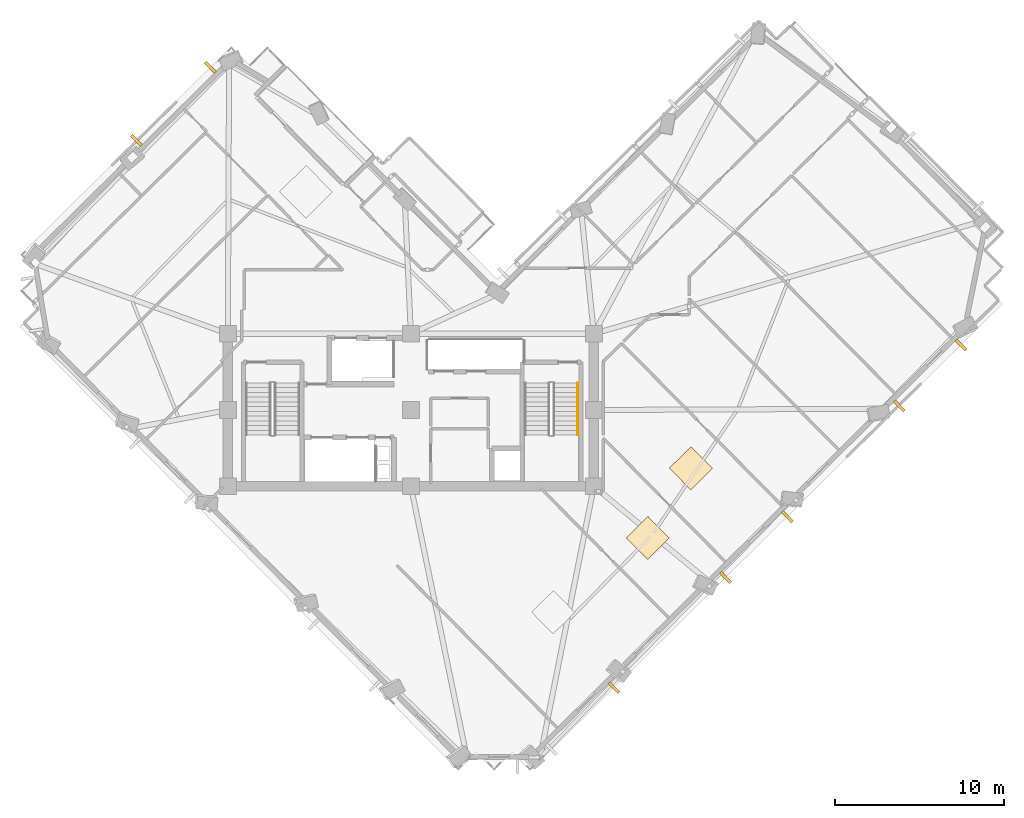
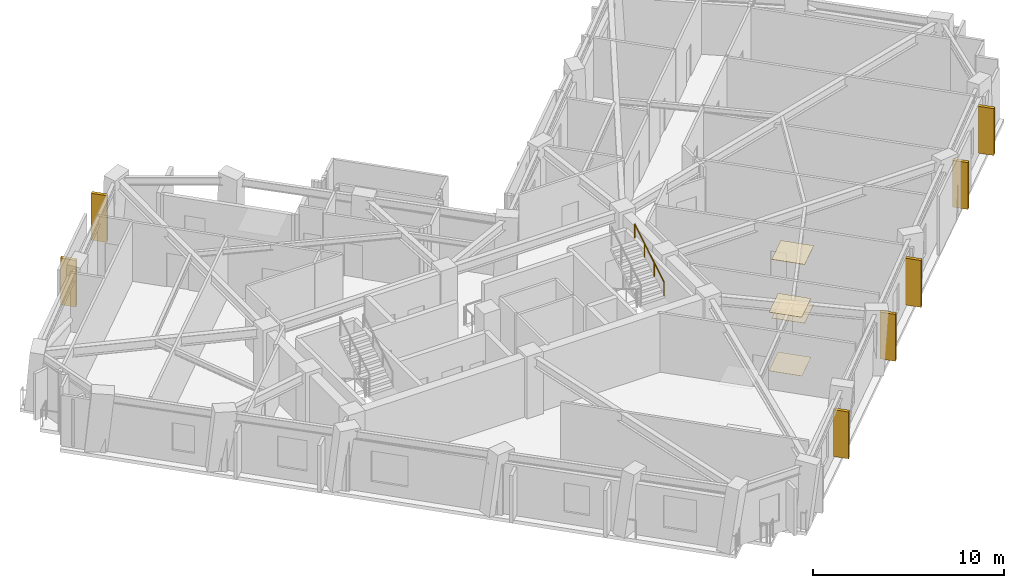
# One storey, part 10 of 11: 7 shading devices, 4 coverings, 1 railing.
"""IFC4 building model written with IfcOpenShell, lengths in metres."""

import ifcopenshell
import ifcopenshell.guid

model = None  # the IFC model being written
_history = None  # IfcOwnerHistory: only IFC2X3 demands one
_inside = {}  # id of a spatial element -> (the spatial element, [elements in it])
_under = {}  # id of a project, library or spatial element -> (it, [spatial elements below it])
_declared = {}  # id of a project -> (the project, [libraries it declares])
_typed = {}  # id of a type object -> (the type object, [elements of that type])
_made_of = {}  # id of a material, layer set ... -> (it, [elements and type objects made of it])


def new_model(schema):
    """Start an empty IFC model of exactly this schema.

    Asked for "IFC4X3", IfcOpenShell would pick the latest addendum, in which some entities
    have other attributes; the version numbers below select the first issue.
    IFC2X3 requires an IfcOwnerHistory on every rooted entity: one is made here for all.
    """
    global model, _history
    if schema == "IFC4X3":
        model = ifcopenshell.file(schema_version=(4, 3, 0, 0))
    else:
        model = ifcopenshell.file(schema=schema)
    _inside.clear()
    _under.clear()
    _declared.clear()
    _typed.clear()
    _made_of.clear()
    _history = None
    if model.schema == "IFC2X3":
        org = make("IfcOrganization", Name="unknown")
        user = make(
            "IfcPersonAndOrganization",
            ThePerson=make("IfcPerson", FamilyName="unknown"),
            TheOrganization=org,
        )
        app = make(
            "IfcApplication",
            ApplicationDeveloper=org,
            Version="unknown",
            ApplicationFullName="unknown",
            ApplicationIdentifier="unknown",
        )
        _history = make(
            "IfcOwnerHistory",
            OwningUser=user,
            OwningApplication=app,
            ChangeAction="ADDED",
            CreationDate=0,
        )
    return model


def make(cls, **values):
    """One entity of the class cls with the attributes given. An attribute that is None is left unset."""
    return model.create_entity(
        cls, **{name: value for name, value in values.items() if value is not None}
    )


def rooted(cls, **values):
    """An entity with a GlobalId (a new one), such as an element, a storey or a relation."""
    return make(cls, GlobalId=ifcopenshell.guid.new(), OwnerHistory=_history, **values)


def si_unit(unit_type, name, prefix=None):
    """IfcSIUnit, for example si_unit("LENGTHUNIT", "METRE", prefix="MILLI")."""
    return make("IfcSIUnit", UnitType=unit_type, Prefix=prefix, Name=name)


def assignment(units):
    """IfcUnitAssignment: the units of a project."""
    return None if units is None else make("IfcUnitAssignment", Units=units)


def point(xyz):
    """IfcCartesianPoint."""
    return None if xyz is None else make("IfcCartesianPoint", Coordinates=xyz)


def direction(xyz):
    """IfcDirection."""
    return None if xyz is None else make("IfcDirection", DirectionRatios=xyz)


def frame(location, z_axis=None, x_axis=None):
    """IfcAxis2Placement3D, a coordinate frame: its origin and axes. An axis left out is left unset."""
    return make(
        "IfcAxis2Placement3D",
        Location=point(location),
        Axis=direction(z_axis),
        RefDirection=direction(x_axis),
    )


def frame_2d(location, x_axis=None):
    """IfcAxis2Placement2D, a coordinate frame in the plane: its origin and x axis."""
    return make(
        "IfcAxis2Placement2D", Location=point(location), RefDirection=direction(x_axis)
    )


def origin():
    """The frame at (0, 0, 0) with its axes left unset."""
    return frame((0.0, 0.0, 0.0))


def origin_2d():
    """The frame at (0, 0) in the plane with its x axis left unset."""
    return frame_2d((0.0, 0.0))


def place(relative_to, where):
    """IfcLocalPlacement: puts the frame where relative to a parent placement (None: the world)."""
    return make(
        "IfcLocalPlacement", PlacementRelTo=relative_to, RelativePlacement=where
    )


def context(
    kind, dimensions, precision=None, world=None, true_north=None, identifier=None
):
    """IfcGeometricRepresentationContext, for example the 3D "Model" context."""
    return make(
        "IfcGeometricRepresentationContext",
        ContextIdentifier=identifier,
        ContextType=kind,
        CoordinateSpaceDimension=dimensions,
        Precision=precision,
        WorldCoordinateSystem=world,
        TrueNorth=true_north,
    )


def subcontext(parent, identifier, kind, view, scale=None):
    """IfcGeometricRepresentationSubContext, for example "Body" below "Model"."""
    return make(
        "IfcGeometricRepresentationSubContext",
        ContextIdentifier=identifier,
        ContextType=kind,
        ParentContext=parent,
        TargetScale=scale,
        TargetView=view,
    )


def project(units=None, contexts=None):
    """IfcProject with its units and contexts."""
    return rooted(
        "IfcProject",
        Name="project",
        RepresentationContexts=contexts,
        UnitsInContext=assignment(units),
    )


def spatial(cls, under=None, at=None, **own):
    """A site, building, storey or space (cls), placed at a placement, below another one or the project."""
    s = rooted(cls, ObjectPlacement=at, **own)
    if under is not None:
        _under.setdefault(under.id(), (under, []))[1].append(s)
    return s


def profile(cls, at=None, kind="AREA", **sizes):
    """A parametric profile (cls). Its sizes go by their IFC names, for example OverallWidth=200.0."""
    return make(cls, ProfileType=kind, Position=at, **sizes)


def rectangle(**sizes):
    """IfcRectangleProfileDef."""
    return profile("IfcRectangleProfileDef", **sizes)


def circle(**sizes):
    """IfcCircleProfileDef."""
    return profile("IfcCircleProfileDef", **sizes)


def extrude(swept, where, along, depth):
    """IfcExtrudedAreaSolid: the profile swept, set in the frame where, extruded along a direction by depth."""
    return make(
        "IfcExtrudedAreaSolid",
        SweptArea=swept,
        Position=where,
        ExtrudedDirection=direction(along),
        Depth=depth,
    )


def shape(context_of_items, identifier, shape_type, items):
    """IfcShapeRepresentation: the items that make up one representation, for example the "Body"."""
    return make(
        "IfcShapeRepresentation",
        ContextOfItems=context_of_items,
        RepresentationIdentifier=identifier,
        RepresentationType=shape_type,
        Items=items,
    )


def material(Name=None, Category=None):
    """IfcMaterial."""
    return make("IfcMaterial", Name=Name, Category=Category)


def layer(
    of_material, thickness, ventilated=None, Name=None, Category=None, Priority=None
):
    """IfcMaterialLayer: one layer of a wall or slab, of a material (None: an air gap)."""
    return make(
        "IfcMaterialLayer",
        Material=of_material,
        LayerThickness=thickness,
        IsVentilated=ventilated,
        Name=Name,
        Category=Category,
        Priority=Priority,
    )


def layer_set(layers, Name=None):
    """IfcMaterialLayerSet."""
    return make("IfcMaterialLayerSet", MaterialLayers=layers, LayerSetName=Name)


def made_of(thing, what):
    """Note that an element or type object is made of a material, layer set ...; save() writes the relation."""
    if what is not None:
        _made_of.setdefault(what.id(), (what, []))[1].append(thing)
    return thing


def type_object(cls, material=None, **own):
    """A type object (cls), such as IfcWallType, which elements share."""
    return made_of(rooted(cls, **own), material)


def element(
    cls,
    number,
    at=None,
    inside=None,
    cuts=None,
    type_object=None,
    material=None,
    context=None,
    identifier="Body",
    shape_type=None,
    held_by="IfcProductDefinitionShape",
    body=None,
    shapes=None,
    **own,
):
    """One element of the class cls, such as IfcWall. Its Tag is "e" and its number.

    at: its placement. inside: the storey or other place that contains it. cuts: it is an
    opening in that element (IfcRelVoidsElement). A single representation is given by context,
    identifier, shape_type and body (its items); several are given by shapes. held_by: the class
    of the entity that holds the representations. save() writes the other relations.
    """
    e = rooted(cls, Tag="e%d" % number, ObjectPlacement=at, **own)
    if body is not None:
        shapes = [shape(context, identifier, shape_type, body)]
    if shapes is not None:
        e.Representation = make(held_by, Representations=shapes)
    if inside is not None:
        _inside.setdefault(inside.id(), (inside, []))[1].append(e)
    if cuts is not None:
        rooted(
            "IfcRelVoidsElement", RelatingBuildingElement=cuts, RelatedOpeningElement=e
        )
    if type_object is not None:
        _typed.setdefault(type_object.id(), (type_object, []))[1].append(e)
    return made_of(e, material)


def aggregate(whole, parts):
    """IfcRelAggregates: a whole, such as a stair, and the parts it consists of."""
    return rooted("IfcRelAggregates", RelatingObject=whole, RelatedObjects=parts)


def save(model, path):
    """Write the relations noted so far, then the file.

    IfcRelAggregates (storeys below a building ...), IfcRelContainedInSpatialStructure (elements
    in a storey), IfcRelDefinesByType, IfcRelAssociatesMaterial and IfcRelDeclares: one each for
    every whole, place, type object, material and project.
    """
    for whole, parts in _under.values():
        aggregate(whole, parts)
    for where, things in _inside.values():
        rooted(
            "IfcRelContainedInSpatialStructure",
            RelatedElements=things,
            RelatingStructure=where,
        )
    for kind, things in _typed.values():
        rooted("IfcRelDefinesByType", RelatedObjects=things, RelatingType=kind)
    for what, things in _made_of.values():
        rooted("IfcRelAssociatesMaterial", RelatedObjects=things, RelatingMaterial=what)
    for by, libraries in _declared.values():
        rooted("IfcRelDeclares", RelatingContext=by, RelatedDefinitions=libraries)
    model.write(path)


model = new_model("IFC4")

# Units and contexts
model_context = context("Model", 3, precision=1e-05, world=origin(), true_north=direction((0.0, 1.0)))
body_context = subcontext(model_context, "Body", "Model", "MODEL_VIEW")
ifc_project = project(units=[si_unit("LENGTHUNIT", "METRE"), si_unit("AREAUNIT", "SQUARE_METRE"), si_unit("VOLUMEUNIT", "CUBIC_METRE"), si_unit("PLANEANGLEUNIT", "RADIAN"), si_unit("MASSUNIT", "GRAM", prefix="KILO")], contexts=[model_context])

# Site, building, storey
site_placement = place(None, origin())
site = spatial("IfcSite", under=ifc_project, at=site_placement, CompositionType="ELEMENT")
building_placement = place(site_placement, origin())
building = spatial("IfcBuilding", under=site, at=building_placement, Name="Gaonmaruhae Medical Tower", CompositionType="ELEMENT")
storey_placement = place(building_placement, frame((0.0, 0.0, 215.199951171875)))
storey = spatial("IfcBuildingStorey", under=building, at=storey_placement, Name="L51", CompositionType="ELEMENT", Elevation=215.199951171875)

# Coverings
ifc_material_1 = material(Name="Acoustic mineral ceiling tile", Category="finish")
ifc_layer_1 = layer(ifc_material_1, 0.02490234375)
ifc_layer_set_1 = layer_set([ifc_layer_1], Name="Acoustic mineral ceiling tile")
covering_type_1 = type_object("IfcCoveringType", Name="CLG-01 Antimicrobial Acoustic Mineral Ceiling", PredefinedType="CEILING", material=ifc_layer_set_1)
for number, where, z_axis, x_axis, name in (
    (1, (38.78076171875, 4.75, 3.755126953125), (0.0, 0.0, 1.0), (0.711413030818, 0.702774145499, 0.0), "L51 Clinical Room Acoustic Ceiling 3"),
    (2, (41.324462890625, 8.86279296875, 3.755126953125), (0.0, 0.0, 1.0), (0.711413030818, 0.702774145499, 0.0), "L51 Clinical Room Acoustic Ceiling 4"),
):
    element("IfcCovering", number, at=place(storey_placement, frame(where, z_axis=z_axis, x_axis=x_axis)), inside=storey, type_object=covering_type_1, Name=name, PredefinedType="CEILING", context=body_context, shape_type="SweptSolid", body=[
        extrude(rectangle(XDim=1.800048828125, YDim=1.800048828125, at=origin_2d()), origin(), (0.0, 0.0, 1.0), 0.02490234375),
    ])
ifc_material_2 = material(Name="Seamless clinical vinyl flooring", Category="finish")
ifc_layer_2 = layer(ifc_material_2, 0.014892578125)
ifc_layer_set_2 = layer_set([ifc_layer_2], Name="Seamless clinical vinyl flooring")
covering_type_2 = type_object("IfcCoveringType", Name="FLR-01 Seamless Clinical Antistatic Vinyl Flooring", PredefinedType="FLOORING", material=ifc_layer_set_2)
for number, where, z_axis, x_axis, name in (
    (3, (38.78076171875, 4.75, 0.0), (0.0, 0.0, 1.0), (0.711413030818, 0.702774145499, 0.0), "L51 Clinical Room Vinyl Flooring 3"),
    (4, (41.324462890625, 8.86279296875, 0.0), (0.0, 0.0, 1.0), (0.711413030818, 0.702774145499, 0.0), "L51 Clinical Room Vinyl Flooring 4"),
):
    element("IfcCovering", number, at=place(storey_placement, frame(where, z_axis=z_axis, x_axis=x_axis)), inside=storey, type_object=covering_type_2, Name=name, PredefinedType="FLOORING", context=body_context, shape_type="SweptSolid", body=[
        extrude(rectangle(XDim=1.800048828125, YDim=1.800048828125, at=origin_2d()), origin(), (0.0, 0.0, 1.0), 0.014892578125),
    ])

# Railing
ifc_material_3 = material(Name="Stainless steel 304 handrail", Category="steel")
railing_type = type_object("IfcRailingType", Name="HR-092 Continuous Stainless Steel Stair Handrail", PredefinedType="HANDRAIL", material=ifc_material_3)
railing_placement = place(storey_placement, frame((34.64990234375, 10.820068359375, 2.166748046875)))
element("IfcRailing", 5, at=railing_placement, inside=storey, type_object=railing_type, Name="L51 ST-02 stair handrail 2", PredefinedType="HANDRAIL", context=body_context, shape_type="SweptSolid", body=[
    extrude(circle(Radius=0.02392578125, at=origin_2d()), frame((0.0, 0.0, 0.8759765625), z_axis=(0.0, 0.859290745958, 0.51148745235), x_axis=(-1.0, 0.0, 0.0)), (0.0, 0.0, 1.0), 3.584228515625),
    extrude(circle(Radius=0.02099609375, at=origin_2d()), origin(), (0.0, 0.0, 1.0), 0.851806640625),
    extrude(circle(Radius=0.02099609375, at=origin_2d()), frame((0.0, 1.026611328125, 0.611083984375)), (0.0, 0.0, 1.0), 0.851806640625),
    extrude(circle(Radius=0.02099609375, at=origin_2d()), frame((0.0, 2.05322265625, 1.22216796875)), (0.0, 0.0, 1.0), 0.851806640625),
    extrude(circle(Radius=0.02099609375, at=origin_2d()), frame((0.0, 3.079833984375, 1.833251953125)), (0.0, 0.0, 1.0), 0.851806640625),
])

# Shading devices
ifc_material_4 = material(Name="Pigmented coral precast concrete C45/55", Category="concrete")
shading_device_type = type_object("IfcShadingDeviceType", Name="SD-FIN1 Tower Vertical Coral Precast Shading Fin", PredefinedType="USERDEFINED", material=ifc_material_4)
for number, where, z_axis, x_axis, name in (
    (6, (36.788818359375, -4.091796875, 0.132568359375), (0.0, 0.0, 1.0), (-0.711413030818, -0.702774145499, 0.0), "L51 Vertical Coral Precast Shading Fin S01"),
    (7, (47.014404296875, 6.009521484375, 0.132568359375), (0.0, 0.0, 1.0), (-0.711413030818, -0.702774145499, 0.0), "L51 Vertical Coral Precast Shading Fin S03"),
    (8, (43.37646484375, 2.416015625, 0.132568359375), (0.0, 0.0, 1.0), (-0.711413030818, -0.702774145499, 0.0), "L51 Vertical Coral Precast Shading Fin S03B"),
    (9, (57.26611328125, 16.136962890625, 0.132568359375), (0.0, 0.0, 1.0), (-0.711413030818, -0.702774145499, 0.0), "L51 Vertical Coral Precast Shading Fin S05"),
    (10, (53.625, 12.539794921875, 0.132568359375), (0.0, 0.0, 1.0), (-0.711413030818, -0.702774145499, 0.0), "L51 Vertical Coral Precast Shading Fin S05B"),
    (11, (8.601806640625, 28.21142578125, 0.132568359375), (0.0, 0.0, 1.0), (0.711413030818, 0.702774145499, 0.0), "L51 Vertical Coral Precast Shading Fin N01"),
    (12, (12.9658203125, 32.5224609375, 0.132568359375), (0.0, 0.0, 1.0), (0.711413030818, 0.702774145499, 0.0), "L51 Vertical Coral Precast Shading Fin N01B"),
):
    element("IfcShadingDevice", number, at=place(storey_placement, frame(where, z_axis=z_axis, x_axis=x_axis)), inside=storey, type_object=shading_device_type, Name=name, ObjectType="FIN", PredefinedType="USERDEFINED", context=body_context, shape_type="SweptSolid", body=[
        extrude(rectangle(XDim=0.179931640625, YDim=0.85009765625, at=origin_2d()), origin(), (0.0, 0.0, 1.0), 3.0),
    ])

save(model, "model.ifc")
